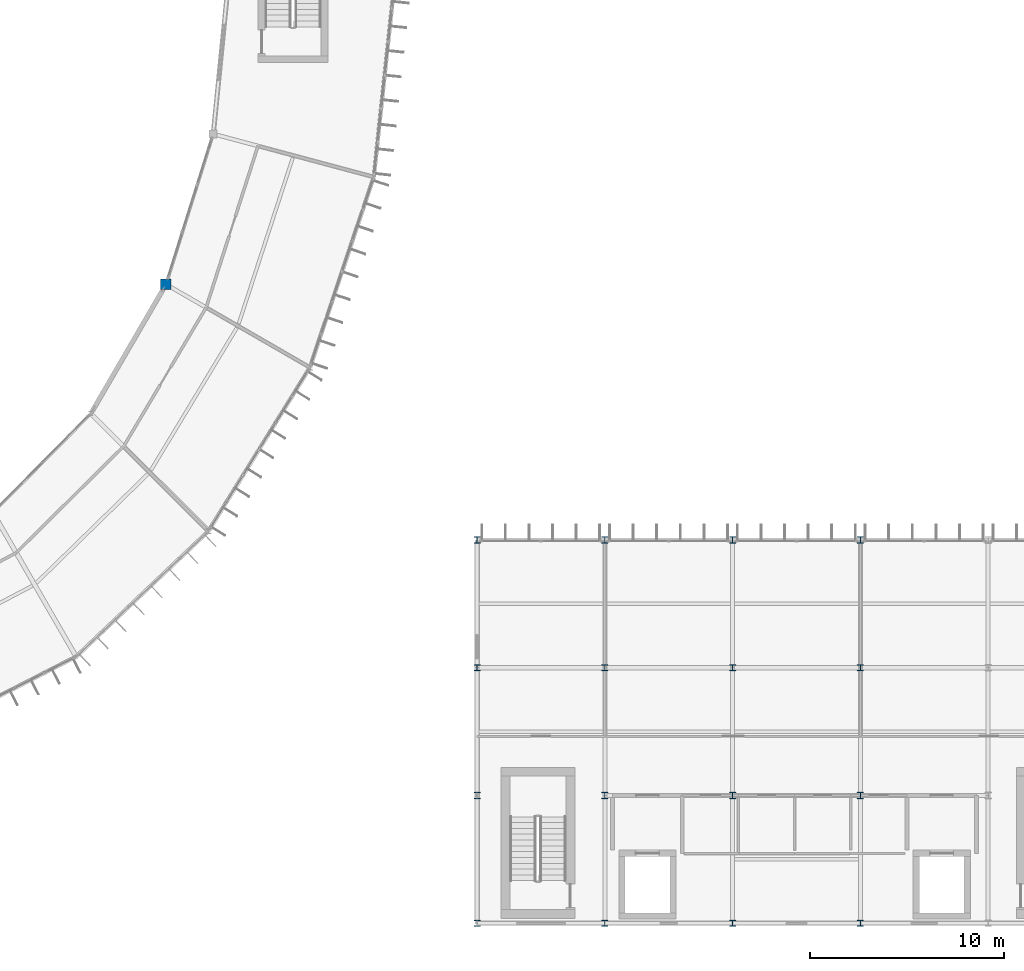
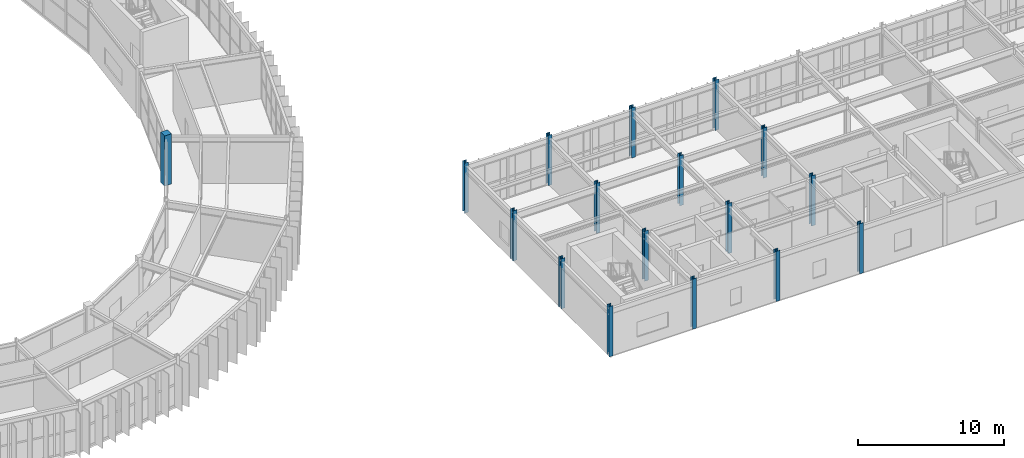
# One storey, part 10 of 130: 17 columns.
"""IFC4 building model written with IfcOpenShell, lengths in metres."""

from ifc_helpers import new_model, si_unit, direction, frame, origin, origin_2d, place, context, subcontext, project, spatial, rectangle, i_section, extrude, material, material_profile, profile_set, type_object, element, save


model = new_model("IFC4")

# Units and contexts
model_context = context("Model", 3, precision=1e-05, world=origin(), true_north=direction((0.0, 1.0)))
body_context = subcontext(model_context, "Body", "Model", "MODEL_VIEW")
ifc_project = project(units=[si_unit("LENGTHUNIT", "METRE"), si_unit("AREAUNIT", "SQUARE_METRE"), si_unit("VOLUMEUNIT", "CUBIC_METRE"), si_unit("PLANEANGLEUNIT", "RADIAN"), si_unit("MASSUNIT", "GRAM", prefix="KILO")], contexts=[model_context])

# Site, building, storey
site_placement = place(None, origin())
site = spatial("IfcSite", under=ifc_project, at=site_placement, CompositionType="ELEMENT")
building_placement = place(site_placement, origin())
building = spatial("IfcBuilding", under=site, at=building_placement, Name="Karori Crest Natural Sciences Institute", CompositionType="ELEMENT")
storey_placement = place(building_placement, frame((0.0, 0.0, 17.5)))
storey = spatial("IfcBuildingStorey", under=building, at=storey_placement, Name="L04", CompositionType="ELEMENT", Elevation=17.5)

# Columns
ifc_material_1 = material(Name="Structural steel AS/NZS 3679.1 Grade 350", Category="steel")
ifc_material_profile_1 = material_profile(ifc_material_1, i_section(OverallWidth=0.31103515625, OverallDepth=0.326904296875, WebThickness=0.015625, FlangeThickness=0.02490234375, FilletRadius=0.01708984375, at=origin_2d()), Name="310UC158")
ifc_profile_set_1 = profile_set([ifc_material_profile_1], Name="Structural steel AS/NZS 3679.1 Grade 350")
column_type_1 = type_object("IfcColumnType", Name="CT-04", PredefinedType="COLUMN", material=ifc_profile_set_1)
for number, where, z_axis, x_axis, name in (
    (1, (103.60009765625, 0.800048828125, 0.0), (0.0, 0.0, 1.0), (1.0, 0.0, 0.0), "Column C-1022"),
    (2, (103.60009765625, 7.39990234375, 0.0), (0.0, 0.0, 1.0), (1.0, 0.0, 0.0), "Column C-1034"),
    (3, (103.60009765625, 14.0, 0.0), (0.0, 0.0, 1.0), (1.0, 0.0, 0.0), "Column C-1046"),
    (4, (103.60009765625, 20.60009765625, 0.0), (0.0, 0.0, 1.0), (1.0, 0.0, 0.0), "Column C-1058"),
    (5, (110.199951171875, 0.800048828125, 0.0), (0.0, 0.0, 1.0), (1.0, 0.0, 0.0), "Column C-1070"),
    (6, (110.199951171875, 20.60009765625, 0.0), (0.0, 0.0, 1.0), (1.0, 0.0, 0.0), "Column C-1106"),
    (7, (116.800048828125, 0.800048828125, 0.0), (0.0, 0.0, 1.0), (1.0, 0.0, 0.0), "Column C-1118"),
    (8, (116.800048828125, 20.60009765625, 0.0), (0.0, 0.0, 1.0), (1.0, 0.0, 0.0), "Column C-1154"),
    (9, (123.39990234375, 0.800048828125, 0.0), (0.0, 0.0, 1.0), (1.0, 0.0, 0.0), "Column C-1166"),
    (10, (123.39990234375, 20.60009765625, 0.0), (0.0, 0.0, 1.0), (1.0, 0.0, 0.0), "Column C-1202"),
):
    element("IfcColumn", number, at=place(storey_placement, frame(where, z_axis=z_axis, x_axis=x_axis)), inside=storey, type_object=column_type_1, Name=name, PredefinedType="COLUMN", context=body_context, shape_type="SweptSolid", body=[
        extrude(i_section(OverallWidth=0.31103515625, OverallDepth=0.326904296875, WebThickness=0.015625, FlangeThickness=0.02490234375, FilletRadius=0.01708984375, at=origin_2d()), origin(), (0.0, 0.0, 1.0), 4.199951171875),
    ])
ifc_material_profile_2 = material_profile(ifc_material_1, i_section(OverallWidth=0.31103515625, OverallDepth=0.326904296875, WebThickness=0.015625, FlangeThickness=0.02490234375, FilletRadius=0.01708984375, at=origin_2d()), Name="310UC158")
ifc_profile_set_2 = profile_set([ifc_material_profile_2], Name="Structural steel AS/NZS 3679.1 Grade 350")
column_type_2 = type_object("IfcColumnType", Name="CT-04-IL", PredefinedType="COLUMN", material=ifc_profile_set_2)
for number, where, z_axis, x_axis, name in (
    (11, (110.199951171875, 7.39990234375, 0.0), (0.0, 0.0, 1.0), (1.0, 0.0, 0.0), "Column C-1082"),
    (12, (110.199951171875, 14.0, 0.0), (0.0, 0.0, 1.0), (1.0, 0.0, 0.0), "Column C-1094"),
    (13, (116.800048828125, 7.39990234375, 0.0), (0.0, 0.0, 1.0), (1.0, 0.0, 0.0), "Column C-1130"),
    (14, (116.800048828125, 14.0, 0.0), (0.0, 0.0, 1.0), (1.0, 0.0, 0.0), "Column C-1142"),
    (15, (123.39990234375, 7.39990234375, 0.0), (0.0, 0.0, 1.0), (1.0, 0.0, 0.0), "Column C-1178"),
    (16, (123.39990234375, 14.0, 0.0), (0.0, 0.0, 1.0), (1.0, 0.0, 0.0), "Column C-1190"),
):
    element("IfcColumn", number, at=place(storey_placement, frame(where, z_axis=z_axis, x_axis=x_axis)), inside=storey, type_object=column_type_2, Name=name, PredefinedType="COLUMN", context=body_context, shape_type="SweptSolid", body=[
        extrude(i_section(OverallWidth=0.31103515625, OverallDepth=0.326904296875, WebThickness=0.015625, FlangeThickness=0.02490234375, FilletRadius=0.01708984375, at=origin_2d()), origin(), (0.0, 0.0, 1.0), 4.199951171875),
    ])
ifc_material_2 = material(Name="Concrete 50 MPa", Category="concrete")
ifc_material_profile_3 = material_profile(ifc_material_2, rectangle(XDim=0.550048828125, YDim=0.550048828125, at=origin_2d()), Name="RC550x550")
ifc_profile_set_3 = profile_set([ifc_material_profile_3], Name="Concrete 50 MPa")
column_type_3 = type_object("IfcColumnType", Name="CT-30", PredefinedType="COLUMN", material=ifc_profile_set_3)
column_placement = place(storey_placement, frame((87.531005859375, 33.800048828125, 0.0), z_axis=(0.0, 0.0, 1.0), x_axis=(1.0, 0.0, 0.0)))
element("IfcColumn", 17, at=column_placement, inside=storey, type_object=column_type_3, Name="Column C-0372", PredefinedType="COLUMN", context=body_context, shape_type="SweptSolid", body=[
    extrude(rectangle(XDim=0.550048828125, YDim=0.550048828125, at=origin_2d()), origin(), (0.0, 0.0, 1.0), 4.199951171875),
])

save(model, "model.ifc")
